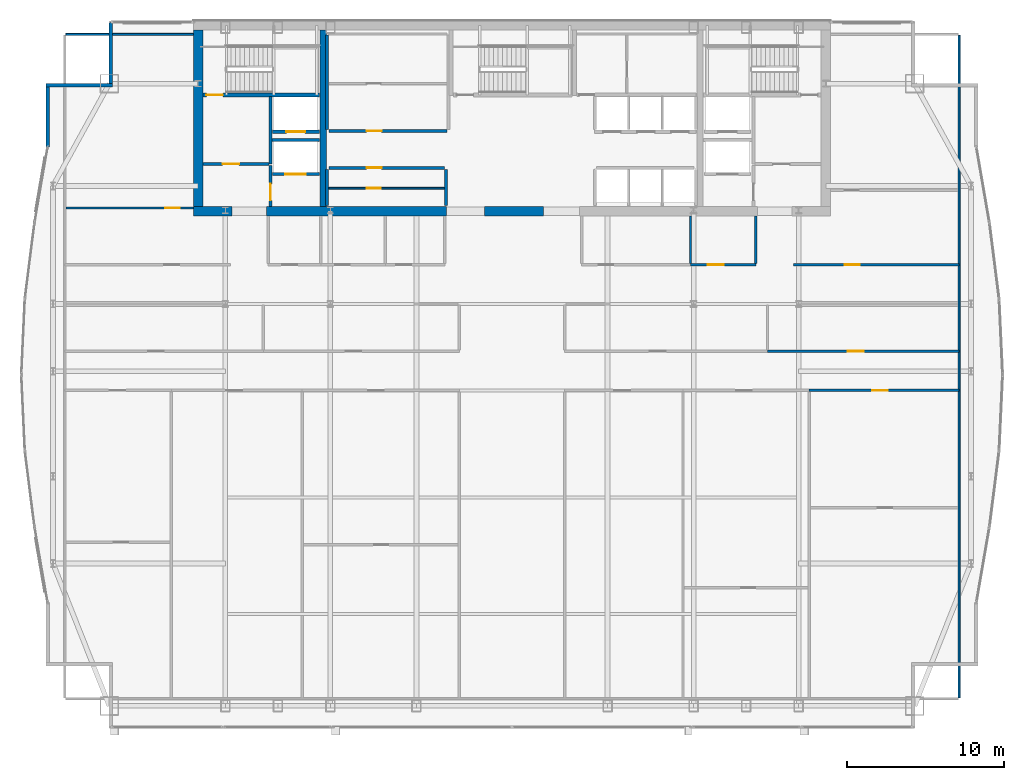
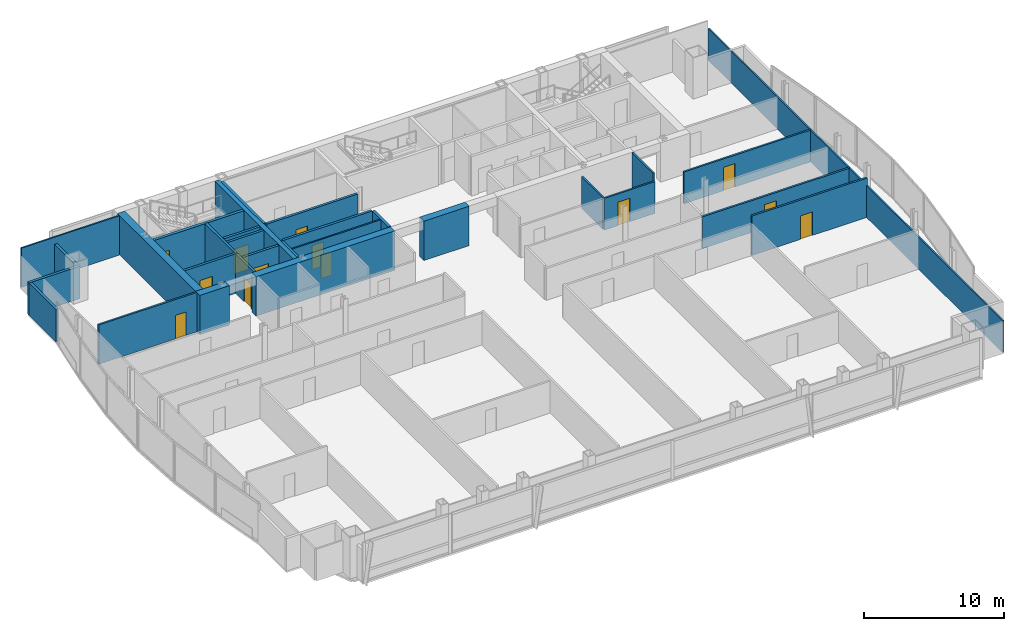
# One storey, part 26 of 30: 30 walls, 13 doors, 13 openings.
"""IFC4 building model written with IfcOpenShell, lengths in metres."""

from ifc_helpers import new_model, si_unit, direction, frame, frame_2d, origin, place, context, subcontext, project, spatial, rectangle, extrude, material, layer, layer_set, type_object, element, fill, save


model = new_model("IFC4")

# Units and contexts
model_context = context("Model", 3, precision=1e-05, world=origin(), true_north=direction((0.0, 1.0)))
body_context = subcontext(model_context, "Body", "Model", "MODEL_VIEW")
ifc_project = project(units=[si_unit("LENGTHUNIT", "METRE"), si_unit("AREAUNIT", "SQUARE_METRE"), si_unit("VOLUMEUNIT", "CUBIC_METRE"), si_unit("PLANEANGLEUNIT", "RADIAN"), si_unit("MASSUNIT", "GRAM", prefix="KILO")], contexts=[model_context])

# Site, building, storey
site_placement = place(None, origin())
site = spatial("IfcSite", under=ifc_project, at=site_placement, CompositionType="ELEMENT")
building_placement = place(site_placement, origin())
building = spatial("IfcBuilding", under=site, at=building_placement, Name="Khoronbel Lancet Exchange", CompositionType="ELEMENT")
storey_placement = place(building_placement, frame((0.0, 0.0, 224.60009765625)))
storey = spatial("IfcBuildingStorey", under=building, at=storey_placement, Name="L57", CompositionType="ELEMENT", Elevation=224.60009765625)

# Walls
ifc_material_1 = material(Name="Concrete C60/75", Category="concrete")
ifc_layer_1 = layer(ifc_material_1, 0.60009765625, Name="Concrete C60/75")
ifc_layer_set_1 = layer_set([ifc_layer_1], Name="Concrete C60/75")
wall_type_1 = type_object("IfcWallType", Name="WL-CW3", PredefinedType="SHEAR", material=ifc_layer_set_1)
wall_1_placement = place(storey_placement, frame((16.5, 41.89990234375, 0.0), z_axis=(0.0, 0.0, 1.0), x_axis=(0.0, 1.0, 0.0)))
element("IfcWall", 1, at=wall_1_placement, inside=storey, type_object=wall_type_1, Name="Level L57 rear core west shear wall", PredefinedType="SHEAR", context=body_context, shape_type="SweptSolid", body=[
    extrude(rectangle(XDim=11.2001953125, YDim=0.60009765625, at=frame_2d((5.60009765625, 0.0))), origin(), (0.0, 0.0, 1.0), 3.43994140625),
])
wall_2_placement = place(storey_placement, frame((18.64990234375, 41.60009765625, 0.0), z_axis=(0.0, 0.0, 1.0), x_axis=(-1.0, 0.0, 0.0)))
element("IfcWall", 2, at=wall_2_placement, inside=storey, type_object=wall_type_1, Name="Level L57 rear core south shear wall pier P1", PredefinedType="SHEAR", context=body_context, shape_type="SweptSolid", body=[
    extrude(rectangle(XDim=2.449951171875, YDim=0.60009765625, at=frame_2d((1.22509765625, 0.0))), origin(), (0.0, 0.0, 1.0), 3.43994140625),
])
wall_3_placement = place(storey_placement, frame((32.300048828125, 41.60009765625, 0.0), z_axis=(0.0, 0.0, 1.0), x_axis=(-1.0, 0.0, 0.0)))
element("IfcWall", 3, at=wall_3_placement, inside=storey, type_object=wall_type_1, Name="Level L57 rear core south shear wall pier P2", PredefinedType="SHEAR", context=body_context, shape_type="SweptSolid", body=[
    extrude(rectangle(XDim=11.449951171875, YDim=0.60009765625, at=frame_2d((5.72509765625, 0.0))), origin(), (0.0, 0.0, 1.0), 3.43994140625),
])
wall_4_placement = place(storey_placement, frame((38.449951171875, 41.60009765625, 0.0), z_axis=(0.0, 0.0, 1.0), x_axis=(-1.0, 0.0, 0.0)))
element("IfcWall", 4, at=wall_4_placement, inside=storey, type_object=wall_type_1, Name="Level L57 rear core south shear wall pier P3", PredefinedType="SHEAR", context=body_context, shape_type="SweptSolid", body=[
    extrude(rectangle(XDim=3.75, YDim=0.60009765625, at=frame_2d((1.875, 0.0))), origin(), (0.0, 0.0, 1.0), 3.43994140625),
])
ifc_material_2 = material(Name="Precast concrete C40/50", Category="concrete")
ifc_layer_2 = layer(ifc_material_2, 0.25, Name="Precast concrete C40/50")
ifc_layer_set_2 = layer_set([ifc_layer_2], Name="Precast concrete C40/50")
wall_type_2 = type_object("IfcWallType", Name="WL-EXT250", PredefinedType="SOLIDWALL", material=ifc_layer_set_2)
wall_5_placement = place(storey_placement, frame((6.93994140625, 45.67236328125, 0.0), z_axis=(0.0, 0.0, 1.0), x_axis=(0.0, 1.0, 0.0)))
element("IfcWall", 5, at=wall_5_placement, inside=storey, type_object=wall_type_2, Name="Level L57 notched-corner limestone pier 10", PredefinedType="SOLIDWALL", context=body_context, shape_type="SweptSolid", body=[
    extrude(rectangle(XDim=3.82763671875, YDim=0.219970703125, at=frame_2d((1.913818359375, 0.0))), origin(), (0.0, 0.0, 1.0), 2.829833984375),
])
wall_6_placement = place(storey_placement, frame((6.830078125, 49.610107421875, 0.0), z_axis=(0.0, 0.0, 1.0), x_axis=(1.0, 0.0, 0.0)))
element("IfcWall", 6, at=wall_6_placement, inside=storey, type_object=wall_type_2, Name="Level L57 notched-corner limestone pier 11", PredefinedType="SOLIDWALL", context=body_context, shape_type="SweptSolid", body=[
    extrude(rectangle(XDim=4.219970703125, YDim=0.219970703125, at=frame_2d((2.10986328125, 0.0))), origin(), (0.0, 0.0, 1.0), 2.829833984375),
])
wall_7_placement = place(storey_placement, frame((10.93994140625, 49.719970703125, 0.0), z_axis=(0.0, 0.0, 1.0), x_axis=(0.0, 1.0, 0.0)))
element("IfcWall", 7, at=wall_7_placement, inside=storey, type_object=wall_type_2, Name="Level L57 notched-corner limestone pier 12", PredefinedType="SOLIDWALL", context=body_context, shape_type="SweptSolid", body=[
    extrude(rectangle(XDim=3.909912109375, YDim=0.219970703125, at=frame_2d((1.955078125, 0.0))), origin(), (0.0, 0.0, 1.0), 2.829833984375),
])
ifc_material_3 = material(Name="Acoustic Metal-Stud & Mineral-Wool Gypsum Partition 120 mm", Category="gypsum")
ifc_layer_3 = layer(ifc_material_3, 0.1201171875, Name="Acoustic Metal-Stud & Mineral-Wool Gypsum Partition 120 mm")
ifc_layer_set_3 = layer_set([ifc_layer_3], Name="Acoustic Metal-Stud & Mineral-Wool Gypsum Partition 120 mm")
wall_type_3 = type_object("IfcWallType", Name="WL-PRT120", PredefinedType="PARTITIONING", material=ifc_layer_set_3)
wall_8_placement = place(storey_placement, frame((47.800048828125, 38.280029296875, 0.0), z_axis=(0.0, 0.0, 1.0), x_axis=(0.0, 1.0, 0.0)))
element("IfcWall", 8, at=wall_8_placement, inside=storey, type_object=wall_type_3, Name="Level L57 interior partition PW-NP-M", PredefinedType="PARTITIONING", context=body_context, shape_type="SweptSolid", body=[
    extrude(rectangle(XDim=3.02001953125, YDim=0.14990234375, at=frame_2d((1.510009765625, 0.0))), origin(), (0.0, 0.0, 1.0), 2.77978515625),
])
wall_9_placement = place(storey_placement, frame((51.949951171875, 38.280029296875, 0.0), z_axis=(0.0, 0.0, 1.0), x_axis=(0.0, 1.0, 0.0)))
element("IfcWall", 9, at=wall_9_placement, inside=storey, type_object=wall_type_3, Name="Level L57 interior partition PW-NP-1", PredefinedType="PARTITIONING", context=body_context, shape_type="SweptSolid", body=[
    extrude(rectangle(XDim=3.02001953125, YDim=0.14990234375, at=frame_2d((1.510009765625, 0.0))), origin(), (0.0, 0.0, 1.0), 3.43994140625),
])

# Wall, opening, door
wall_10_placement = place(storey_placement, frame((8.094970703125, 41.800048828125, 0.0), z_axis=(0.0, 0.0, 1.0), x_axis=(1.0, 0.0, 0.0)))
wall_10 = element("IfcWall", 10, at=wall_10_placement, inside=storey, type_object=wall_type_3, Name="Level L57 interior partition PW-NW-H", PredefinedType="PARTITIONING", context=body_context, shape_type="SweptSolid", body=[
    extrude(rectangle(XDim=8.10498046875, YDim=0.14990234375, at=frame_2d((4.052490234375, 0.0))), origin(), (0.0, 0.0, 1.0), 3.43994140625),
])
opening_1_placement = place(wall_10_placement, frame((6.320068359375, 0.0, 0.0)))
opening_1 = element("IfcOpeningElement", 11, at=opening_1_placement, cuts=wall_10, Name="Opening D5", PredefinedType="OPENING", context=body_context, shape_type="SweptSolid", body=[
    extrude(rectangle(XDim=0.89990234375, YDim=2.050048828125, at=frame_2d((0.449951171875, 1.02490234375))), frame((0.0, 0.0849609375, 0.0), z_axis=(0.0, -1.0, 0.0), x_axis=(1.0, 0.0, 0.0)), (0.0, 0.0, 1.0), 0.169921875),
])
ifc_material_4 = material(Name="Acoustic Timber Pantry & Support Door", Category="wood")
door_type_1 = type_object("IfcDoorType", Name="DR-D5", OperationType="NOTDEFINED", PredefinedType="DOOR", material=ifc_material_4)
door_1_placement = place(opening_1_placement, origin())
door_1 = element("IfcDoor", 12, at=door_1_placement, inside=storey, type_object=door_type_1, Name="NW north room door L57-1", OperationType="SINGLE_SWING_LEFT", OverallHeight=2.050048828125, OverallWidth=0.89990234375, PredefinedType="DOOR", context=body_context, shape_type="SweptSolid", body=[
    extrude(rectangle(XDim=0.89990234375, YDim=2.050048828125, at=frame_2d((0.449951171875, 1.02490234375))), frame((0.0, 0.02490234375, 0.0), z_axis=(0.0, -1.0, 0.0), x_axis=(1.0, 0.0, 0.0)), (0.0, 0.0, 1.0), 0.050048828125),
])
fill(opening_1, door_1)

# Walls
wall_11_placement = place(storey_placement, frame((64.8701171875, 10.6650390625, 0.0), z_axis=(0.0, 0.0, 1.0), x_axis=(0.0, 1.0, 0.0)))
element("IfcWall", 13, at=wall_11_placement, inside=storey, type_object=wall_type_3, Name="Level L57 interior partition PW-LIN-E", PredefinedType="PARTITIONING", context=body_context, shape_type="SweptSolid", body=[
    extrude(rectangle(XDim=42.10986328125, YDim=0.1201171875, at=frame_2d((21.054931640625, 0.0))), origin(), (0.0, 0.0, 1.0), 2.77978515625),
])
wall_12_placement = place(storey_placement, frame((8.094970703125, 52.840087890625, 0.0), z_axis=(0.0, 0.0, 1.0), x_axis=(1.0, 0.0, 0.0)))
element("IfcWall", 14, at=wall_12_placement, inside=storey, type_object=wall_type_3, Name="Level L57 interior partition PW-LIN-NW", PredefinedType="PARTITIONING", context=body_context, shape_type="SweptSolid", body=[
    extrude(rectangle(XDim=8.10498046875, YDim=0.1201171875, at=frame_2d((4.052490234375, 0.0))), origin(), (0.0, 0.0, 1.0), 3.43994140625),
])

# Wall, opening, door
ifc_material_5 = material(Name="Fire-Rated Metal-Stud & Mineral-Wool Gypsum Partition 120 mm", Category="gypsum")
ifc_layer_4 = layer(ifc_material_5, 0.1201171875, Name="Fire-Rated Metal-Stud & Mineral-Wool Gypsum Partition 120 mm")
ifc_layer_set_4 = layer_set([ifc_layer_4], Name="Fire-Rated Metal-Stud & Mineral-Wool Gypsum Partition 120 mm")
wall_type_4 = type_object("IfcWallType", Name="WL-PRT120F", PredefinedType="PARTITIONING", material=ifc_layer_set_4)
wall_13_placement = place(storey_placement, frame((24.804931640625, 43.053955078125, 0.0), z_axis=(0.0, 0.0, 1.0), x_axis=(1.0, 0.0, 0.0)))
wall_13 = element("IfcWall", 15, at=wall_13_placement, inside=storey, type_object=wall_type_4, Name="Level L57 interior partition CW-PM-RH", PredefinedType="PARTITIONING", context=body_context, shape_type="SweptSolid", body=[
    extrude(rectangle(XDim=7.340087890625, YDim=0.1201171875, at=frame_2d((3.669921875, 0.0))), origin(), (0.0, 0.0, 1.0), 3.43994140625),
])
opening_2_placement = place(wall_13_placement, frame((2.39990234375, 0.0, 0.0)))
opening_2 = element("IfcOpeningElement", 16, at=opening_2_placement, cuts=wall_13, Name="Opening FD4", PredefinedType="OPENING", context=body_context, shape_type="SweptSolid", body=[
    extrude(rectangle(XDim=0.89990234375, YDim=2.050048828125, at=frame_2d((0.449951171875, 1.02490234375))), frame((0.0, 0.070068359375, 0.0), z_axis=(0.0, -1.0, 0.0), x_axis=(1.0, 0.0, 0.0)), (0.0, 0.0, 1.0), 0.14013671875),
])
ifc_material_6 = material(Name="Fire-Rated Steel Core Support Door Assembly", Category="steel")
door_type_2 = type_object("IfcDoorType", Name="DR-FD4", OperationType="NOTDEFINED", PredefinedType="DOOR", material=ifc_material_6)
door_2_placement = place(opening_2_placement, origin())
door_2 = element("IfcDoor", 17, at=door_2_placement, inside=storey, type_object=door_type_2, Name="Core PM inner store door L57-1", OperationType="SINGLE_SWING_RIGHT", OverallHeight=2.050048828125, OverallWidth=0.89990234375, PredefinedType="DOOR", context=body_context, shape_type="SweptSolid", body=[
    extrude(rectangle(XDim=0.89990234375, YDim=2.050048828125, at=frame_2d((0.449951171875, 1.02490234375))), frame((0.0, 0.02490234375, 0.0), z_axis=(0.0, -1.0, 0.0), x_axis=(1.0, 0.0, 0.0)), (0.0, 0.0, 1.0), 0.050048828125),
])
fill(opening_2, door_2)

ifc_material_7 = material(Name="Fire-Rated Twin-Stud Acoustic Gypsum Partition 150 mm", Category="gypsum")
ifc_layer_5 = layer(ifc_material_7, 0.14990234375, Name="Fire-Rated Twin-Stud Acoustic Gypsum Partition 150 mm")
ifc_layer_set_5 = layer_set([ifc_layer_5], Name="Fire-Rated Twin-Stud Acoustic Gypsum Partition 150 mm")
wall_type_5 = type_object("IfcWallType", Name="WL-PRT150C", PredefinedType="PARTITIONING", material=ifc_layer_set_5)
wall_14_placement = place(storey_placement, frame((47.800048828125, 38.199951171875, 0.0), z_axis=(0.0, 0.0, 1.0), x_axis=(1.0, 0.0, 0.0)))
wall_14 = element("IfcWall", 18, at=wall_14_placement, inside=storey, type_object=wall_type_5, Name="Level L57 interior partition PW-NP-S2", PredefinedType="PARTITIONING", context=body_context, shape_type="SweptSolid", body=[
    extrude(rectangle(XDim=4.14990234375, YDim=0.14990234375, at=frame_2d((2.074951171875, 0.0))), origin(), (0.0, 0.0, 1.0), 2.77978515625),
])
opening_3_placement = place(wall_14_placement, frame((1.10009765625, 0.0, 0.0)))
opening_3 = element("IfcOpeningElement", 19, at=opening_3_placement, cuts=wall_14, Name="Opening D2", PredefinedType="OPENING", context=body_context, shape_type="SweptSolid", body=[
    extrude(rectangle(XDim=1.0, YDim=2.050048828125, at=frame_2d((0.5, 1.02490234375))), frame((0.0, 0.0849609375, 0.0), z_axis=(0.0, -1.0, 0.0), x_axis=(1.0, 0.0, 0.0)), (0.0, 0.0, 1.0), 0.169921875),
])
ifc_material_8 = material(Name="Acoustic Veneered Timber & Bronze Frame Door", Category="wood")
door_type_3 = type_object("IfcDoorType", Name="DR-D2", OperationType="NOTDEFINED", PredefinedType="DOOR", material=ifc_material_8)
door_3_placement = place(opening_3_placement, origin())
door_3 = element("IfcDoor", 20, at=door_3_placement, inside=storey, type_object=door_type_3, Name="Floor store door L57-1", OperationType="SINGLE_SWING_RIGHT", OverallHeight=2.050048828125, OverallWidth=1.0, PredefinedType="DOOR", context=body_context, shape_type="SweptSolid", body=[
    extrude(rectangle(XDim=1.0, YDim=2.050048828125, at=frame_2d((0.5, 1.02490234375))), frame((0.0, 0.02490234375, 0.0), z_axis=(0.0, -1.0, 0.0), x_axis=(1.0, 0.0, 0.0)), (0.0, 0.0, 1.0), 0.050048828125),
])
fill(opening_3, door_3)

wall_15_placement = place(storey_placement, frame((54.35009765625, 38.199951171875, 0.0), z_axis=(0.0, 0.0, 1.0), x_axis=(1.0, 0.0, 0.0)))
wall_15 = element("IfcWall", 21, at=wall_15_placement, inside=storey, type_object=wall_type_5, Name="Level L57 interior partition PW-NE-S", PredefinedType="PARTITIONING", context=body_context, shape_type="SweptSolid", body=[
    extrude(rectangle(XDim=10.52001953125, YDim=0.14990234375, at=frame_2d((5.260009765625, 0.0))), origin(), (0.0, 0.0, 1.0), 2.77978515625),
])
opening_4_placement = place(wall_15_placement, frame((3.25, 0.0, 0.0)))
opening_4 = element("IfcOpeningElement", 22, at=opening_4_placement, cuts=wall_15, Name="Opening D1", PredefinedType="OPENING", context=body_context, shape_type="SweptSolid", body=[
    extrude(rectangle(XDim=0.949951171875, YDim=2.050048828125, at=frame_2d((0.47509765625, 1.02490234375))), frame((0.0, 0.0849609375, 0.0), z_axis=(0.0, -1.0, 0.0), x_axis=(1.0, 0.0, 0.0)), (0.0, 0.0, 1.0), 0.169921875),
])
door_type_4 = type_object("IfcDoorType", Name="DR-D1", OperationType="NOTDEFINED", PredefinedType="DOOR", material=ifc_material_8)
door_4_placement = place(opening_4_placement, origin())
door_4 = element("IfcDoor", 23, at=door_4_placement, inside=storey, type_object=door_type_4, Name="NE corner room door L57-1", OperationType="SINGLE_SWING_RIGHT", OverallHeight=2.050048828125, OverallWidth=0.949951171875, PredefinedType="DOOR", context=body_context, shape_type="SweptSolid", body=[
    extrude(rectangle(XDim=0.949951171875, YDim=2.050048828125, at=frame_2d((0.47509765625, 1.02490234375))), frame((0.0, 0.02490234375, 0.0), z_axis=(0.0, -1.0, 0.0), x_axis=(1.0, 0.0, 0.0)), (0.0, 0.0, 1.0), 0.050048828125),
])
fill(opening_4, door_4)

ifc_material_9 = material(Name="Fire-Rated Twin-Stud Acoustic Gypsum Partition 160 mm", Category="gypsum")
ifc_layer_6 = layer(ifc_material_9, 0.159912109375, Name="Fire-Rated Twin-Stud Acoustic Gypsum Partition 160 mm")
ifc_layer_set_6 = layer_set([ifc_layer_6], Name="Fire-Rated Twin-Stud Acoustic Gypsum Partition 160 mm")
wall_type_6 = type_object("IfcWallType", Name="WL-PRT160C", PredefinedType="PARTITIONING", material=ifc_layer_set_6)
wall_16_placement = place(storey_placement, frame((55.343505859375, 30.199951171875, 0.0), z_axis=(0.0, 0.0, 1.0), x_axis=(1.0, 0.0, 0.0)))
wall_16 = element("IfcWall", 24, at=wall_16_placement, inside=storey, type_object=wall_type_6, Name="Level L57 interior partition PW-Z3SE-COR3", PredefinedType="PARTITIONING", context=body_context, shape_type="SweptSolid", body=[
    extrude(rectangle(XDim=9.526611328125, YDim=0.159912109375, at=frame_2d((4.76318359375, 0.0))), origin(), (0.0, 0.0, 1.0), 3.43994140625),
])
opening_5_placement = place(wall_16_placement, frame((4.001220703125, 0.0, 0.0)))
opening_5 = element("IfcOpeningElement", 25, at=opening_5_placement, cuts=wall_16, Name="Opening D2", PredefinedType="OPENING", context=body_context, shape_type="SweptSolid", body=[
    extrude(rectangle(XDim=1.0, YDim=2.050048828125, at=frame_2d((0.5, 1.02490234375))), frame((0.0, 0.08984375, 0.0), z_axis=(0.0, -1.0, 0.0), x_axis=(1.0, 0.0, 0.0)), (0.0, 0.0, 1.0), 0.179931640625),
])
door_5_placement = place(opening_5_placement, origin())
door_5 = element("IfcDoor", 26, at=door_5_placement, inside=storey, type_object=door_type_3, Name="Z3SE bay 3 door L57-1", OperationType="SINGLE_SWING_LEFT", OverallHeight=2.050048828125, OverallWidth=1.0, PredefinedType="DOOR", context=body_context, shape_type="SweptSolid", body=[
    extrude(rectangle(XDim=1.0, YDim=2.050048828125, at=frame_2d((0.5, 1.02490234375))), frame((0.0, 0.02490234375, 0.0), z_axis=(0.0, -1.0, 0.0), x_axis=(1.0, 0.0, 0.0)), (0.0, 0.0, 1.0), 0.050048828125),
])
fill(opening_5, door_5)

wall_17_placement = place(storey_placement, frame((52.693115234375, 32.699951171875, 0.0), z_axis=(0.0, 0.0, 1.0), x_axis=(1.0, 0.0, 0.0)))
wall_17 = element("IfcWall", 27, at=wall_17_placement, inside=storey, type_object=wall_type_6, Name="Level L57 interior partition PW-Z3NE-COR2", PredefinedType="PARTITIONING", context=body_context, shape_type="SweptSolid", body=[
    extrude(rectangle(XDim=12.177001953125, YDim=0.159912109375, at=frame_2d((6.08837890625, 0.0))), origin(), (0.0, 0.0, 1.0), 2.77978515625),
])
opening_6_placement = place(wall_17_placement, frame((5.1142578125, 0.0, 0.0)))
opening_6 = element("IfcOpeningElement", 28, at=opening_6_placement, cuts=wall_17, Name="Opening D2", PredefinedType="OPENING", context=body_context, shape_type="SweptSolid", body=[
    extrude(rectangle(XDim=1.0, YDim=2.050048828125, at=frame_2d((0.5, 1.02490234375))), frame((0.0, 0.08984375, 0.0), z_axis=(0.0, -1.0, 0.0), x_axis=(1.0, 0.0, 0.0)), (0.0, 0.0, 1.0), 0.179931640625),
])
door_6_placement = place(opening_6_placement, origin())
door_6 = element("IfcDoor", 29, at=door_6_placement, inside=storey, type_object=door_type_3, Name="Z3NE bay 2 door L57-1", OperationType="SINGLE_SWING_RIGHT", OverallHeight=2.050048828125, OverallWidth=1.0, PredefinedType="DOOR", context=body_context, shape_type="SweptSolid", body=[
    extrude(rectangle(XDim=1.0, YDim=2.050048828125, at=frame_2d((0.5, 1.02490234375))), frame((0.0, 0.02490234375, 0.0), z_axis=(0.0, -1.0, 0.0), x_axis=(1.0, 0.0, 0.0)), (0.0, 0.0, 1.0), 0.050048828125),
])
fill(opening_6, door_6)

ifc_material_10 = material(Name="Autoclaved Aerated Concrete Blockwork 200 mm", Category="masonry")
ifc_layer_7 = layer(ifc_material_10, 0.199951171875, Name="Autoclaved Aerated Concrete Blockwork 200 mm")
ifc_layer_set_7 = layer_set([ifc_layer_7], Name="Autoclaved Aerated Concrete Blockwork 200 mm")
wall_type_7 = type_object("IfcWallType", Name="WL-PRT200", PredefinedType="PARTITIONING", material=ifc_layer_set_7)
wall_18_placement = place(storey_placement, frame((24.2099609375, 43.949951171875, 0.0), z_axis=(0.0, 0.0, 1.0), x_axis=(-1.0, 0.0, 0.0)))
wall_18 = element("IfcWall", 30, at=wall_18_placement, inside=storey, type_object=wall_type_7, Name="Level L57 elevator hoistway landing front wall SVLW", PredefinedType="PARTITIONING", context=body_context, shape_type="SweptSolid", body=[
    extrude(rectangle(XDim=2.969970703125, YDim=0.199951171875, at=frame_2d((1.48486328125, 0.0))), origin(), (0.0, 0.0, 1.0), 3.43994140625),
])
opening_7_placement = place(wall_18_placement, frame((0.860107421875, 0.0, 0.0)))
opening_7 = element("IfcOpeningElement", 31, at=opening_7_placement, cuts=wall_18, Name="Opening LD-SVL1", PredefinedType="OPENING", context=body_context, shape_type="SweptSolid", body=[
    extrude(rectangle(XDim=1.300048828125, YDim=2.179931640625, at=frame_2d((0.64990234375, 1.08984375))), frame((0.0, 0.10986328125, 0.0), z_axis=(0.0, -1.0, 0.0), x_axis=(1.0, 0.0, 0.0)), (0.0, 0.0, 1.0), 0.219970703125),
])
ifc_material_11 = material(Name="Heavy-Duty Bi-Parting Goods Lift Landing Door", Category="steel")
door_type_5 = type_object("IfcDoorType", Name="DR-LD-SVL", OperationType="NOTDEFINED", PredefinedType="DOOR", material=ifc_material_11)
door_7_placement = place(opening_7_placement, origin())
door_7 = element("IfcDoor", 32, at=door_7_placement, inside=storey, type_object=door_type_5, Name="Elevator landing sliding door LD-SVL1 L57", OperationType="SLIDING_TO_LEFT", OverallHeight=2.179931640625, OverallWidth=1.300048828125, PredefinedType="DOOR", context=body_context, shape_type="SweptSolid", body=[
    extrude(rectangle(XDim=1.300048828125, YDim=2.179931640625, at=frame_2d((0.64990234375, 1.08984375))), frame((0.0, 0.02490234375, 0.0), z_axis=(0.0, -1.0, 0.0), x_axis=(1.0, 0.0, 0.0)), (0.0, 0.0, 1.0), 0.050048828125),
])
fill(opening_7, door_7)

wall_19_placement = place(storey_placement, frame((24.2099609375, 46.64990234375, 0.0), z_axis=(0.0, 0.0, 1.0), x_axis=(-1.0, 0.0, 0.0)))
wall_19 = element("IfcWall", 33, at=wall_19_placement, inside=storey, type_object=wall_type_7, Name="Level L57 elevator hoistway landing front wall FFLW", PredefinedType="PARTITIONING", context=body_context, shape_type="SweptSolid", body=[
    extrude(rectangle(XDim=2.969970703125, YDim=0.199951171875, at=frame_2d((1.48486328125, 0.0))), origin(), (0.0, 0.0, 1.0), 3.43994140625),
])
opening_8_placement = place(wall_19_placement, frame((0.909912109375, 0.0, 0.0)))
opening_8 = element("IfcOpeningElement", 34, at=opening_8_placement, cuts=wall_19, Name="Opening LD-FFL1", PredefinedType="OPENING", context=body_context, shape_type="SweptSolid", body=[
    extrude(rectangle(XDim=1.199951171875, YDim=2.179931640625, at=frame_2d((0.60009765625, 1.08984375))), frame((0.0, 0.10986328125, 0.0), z_axis=(0.0, -1.0, 0.0), x_axis=(1.0, 0.0, 0.0)), (0.0, 0.0, 1.0), 0.219970703125),
])
ifc_material_12 = material(Name="Fire-Rated Stainless Bi-Parting Firefighting Lift Door", Category="steel")
door_type_6 = type_object("IfcDoorType", Name="DR-LD-FFL", OperationType="NOTDEFINED", PredefinedType="DOOR", material=ifc_material_12)
door_8_placement = place(opening_8_placement, origin())
door_8 = element("IfcDoor", 35, at=door_8_placement, inside=storey, type_object=door_type_6, Name="Elevator landing sliding door LD-FFL1 L57", OperationType="SLIDING_TO_LEFT", OverallHeight=2.179931640625, OverallWidth=1.199951171875, PredefinedType="DOOR", context=body_context, shape_type="SweptSolid", body=[
    extrude(rectangle(XDim=1.199951171875, YDim=2.179931640625, at=frame_2d((0.60009765625, 1.08984375))), frame((0.0, 0.02490234375, 0.0), z_axis=(0.0, -1.0, 0.0), x_axis=(1.0, 0.0, 0.0)), (0.0, 0.0, 1.0), 0.050048828125),
])
fill(opening_8, door_8)

# Wall
wall_20_placement = place(storey_placement, frame((21.10009765625, 44.60009765625, 0.0), z_axis=(0.0, 0.0, 1.0), x_axis=(0.0, 1.0, 0.0)))
element("IfcWall", 36, at=wall_20_placement, inside=storey, type_object=wall_type_7, Name="Level L57 interior partition CW-FFLW-E", PredefinedType="PARTITIONING", context=body_context, shape_type="SweptSolid", body=[
    extrude(rectangle(XDim=4.2998046875, YDim=0.199951171875, at=frame_2d((2.14990234375, 0.0))), origin(), (0.0, 0.0, 1.0), 3.43994140625),
])

# Wall, opening, door
wall_21_placement = place(storey_placement, frame((16.800048828125, 44.60009765625, 0.0), z_axis=(0.0, 0.0, 1.0), x_axis=(1.0, 0.0, 0.0)))
wall_21 = element("IfcWall", 37, at=wall_21_placement, inside=storey, type_object=wall_type_7, Name="Level L57 interior partition CW-FFLW-S", PredefinedType="PARTITIONING", context=body_context, shape_type="SweptSolid", body=[
    extrude(rectangle(XDim=4.199951171875, YDim=0.199951171875, at=frame_2d((2.10009765625, 0.0))), origin(), (0.0, 0.0, 1.0), 3.43994140625),
])
opening_9_placement = place(wall_21_placement, frame((1.25, 0.0, 0.0)))
opening_9 = element("IfcOpeningElement", 38, at=opening_9_placement, cuts=wall_21, Name="Opening FD1", PredefinedType="OPENING", context=body_context, shape_type="SweptSolid", body=[
    extrude(rectangle(XDim=1.050048828125, YDim=2.14990234375, at=frame_2d((0.52490234375, 1.074951171875))), frame((0.0, 0.10986328125, 0.0), z_axis=(0.0, -1.0, 0.0), x_axis=(1.0, 0.0, 0.0)), (0.0, 0.0, 1.0), 0.219970703125),
])
ifc_material_13 = material(Name="Fire-Rated Painted Steel Door Assembly", Category="steel")
door_type_7 = type_object("IfcDoorType", Name="DR-FD1", OperationType="NOTDEFINED", PredefinedType="DOOR", material=ifc_material_13)
door_9_placement = place(opening_9_placement, origin())
door_9 = element("IfcDoor", 39, at=door_9_placement, inside=storey, type_object=door_type_7, Name="West firefighting lobby FD90S door L57-1", OperationType="SINGLE_SWING_RIGHT", OverallHeight=2.14990234375, OverallWidth=1.050048828125, PredefinedType="DOOR", context=body_context, shape_type="SweptSolid", body=[
    extrude(rectangle(XDim=1.050048828125, YDim=2.14990234375, at=frame_2d((0.52490234375, 1.074951171875))), frame((0.0, 0.02490234375, 0.0), z_axis=(0.0, -1.0, 0.0), x_axis=(1.0, 0.0, 0.0)), (0.0, 0.0, 1.0), 0.050048828125),
])
fill(opening_9, door_9)

# Wall
wall_22_placement = place(storey_placement, frame((21.199951171875, 46.1201171875, 0.0), z_axis=(0.0, 0.0, 1.0), x_axis=(1.0, 0.0, 0.0)))
element("IfcWall", 40, at=wall_22_placement, inside=storey, type_object=wall_type_7, Name="Level L57 interior partition CW-FFL1-S", PredefinedType="PARTITIONING", context=body_context, shape_type="SweptSolid", body=[
    extrude(rectangle(XDim=3.02001953125, YDim=0.199951171875, at=frame_2d((1.510009765625, 0.0))), origin(), (0.0, 0.0, 1.0), 3.43994140625),
])

# Wall, opening, door
wall_23_placement = place(storey_placement, frame((21.10009765625, 41.89990234375, 0.0), z_axis=(0.0, 0.0, 1.0), x_axis=(0.0, 1.0, 0.0)))
wall_23 = element("IfcWall", 41, at=wall_23_placement, inside=storey, type_object=wall_type_7, Name="Level L57 interior partition CW-SVLW-W", PredefinedType="PARTITIONING", context=body_context, shape_type="SweptSolid", body=[
    extrude(rectangle(XDim=2.59521484375, YDim=0.199951171875, at=frame_2d((1.297607421875, 0.0))), origin(), (0.0, 0.0, 1.0), 3.43994140625),
])
opening_10_placement = place(wall_23_placement, frame((0.3798828125, 0.0, 0.0)))
opening_10 = element("IfcOpeningElement", 42, at=opening_10_placement, cuts=wall_23, Name="Opening FD1", PredefinedType="OPENING", context=body_context, shape_type="SweptSolid", body=[
    extrude(rectangle(XDim=1.050048828125, YDim=2.14990234375, at=frame_2d((0.52490234375, 1.074951171875))), frame((0.0, 0.10986328125, 0.0), z_axis=(0.0, -1.0, 0.0), x_axis=(1.0, 0.0, 0.0)), (0.0, 0.0, 1.0), 0.219970703125),
])
door_10_placement = place(opening_10_placement, origin())
door_10 = element("IfcDoor", 43, at=door_10_placement, inside=storey, type_object=door_type_7, Name="West service lift lobby door L57-1", OperationType="SINGLE_SWING_LEFT", OverallHeight=2.14990234375, OverallWidth=1.050048828125, PredefinedType="DOOR", context=body_context, shape_type="SweptSolid", body=[
    extrude(rectangle(XDim=1.050048828125, YDim=2.14990234375, at=frame_2d((0.52490234375, 1.074951171875))), frame((0.0, 0.02490234375, 0.0), z_axis=(0.0, -1.0, 0.0), x_axis=(1.0, 0.0, 0.0)), (0.0, 0.0, 1.0), 0.050048828125),
])
fill(opening_10, door_10)

# Wall
wall_24_placement = place(storey_placement, frame((24.699951171875, 46.804931640625, 0.0), z_axis=(0.0, 0.0, 1.0), x_axis=(0.0, 1.0, 0.0)))
element("IfcWall", 44, at=wall_24_placement, inside=storey, type_object=wall_type_7, Name="Level L57 interior partition CW-PL-RW", PredefinedType="PARTITIONING", context=body_context, shape_type="SweptSolid", body=[
    extrude(rectangle(XDim=5.989990234375, YDim=0.199951171875, at=frame_2d((2.9951171875, 0.0))), origin(), (0.0, 0.0, 1.0), 3.43994140625),
])

# Wall, opening, door
wall_25_placement = place(storey_placement, frame((24.804931640625, 46.699951171875, 0.0), z_axis=(0.0, 0.0, 1.0), x_axis=(1.0, 0.0, 0.0)))
wall_25 = element("IfcWall", 45, at=wall_25_placement, inside=storey, type_object=wall_type_7, Name="Level L57 interior partition CW-PL-RF", PredefinedType="PARTITIONING", context=body_context, shape_type="SweptSolid", body=[
    extrude(rectangle(XDim=7.510009765625, YDim=0.199951171875, at=frame_2d((3.7548828125, 0.0))), origin(), (0.0, 0.0, 1.0), 3.43994140625),
])
opening_11_placement = place(wall_25_placement, frame((2.39990234375, 0.0, 0.0)))
opening_11 = element("IfcOpeningElement", 46, at=opening_11_placement, cuts=wall_25, Name="Opening FD3", PredefinedType="OPENING", context=body_context, shape_type="SweptSolid", body=[
    extrude(rectangle(XDim=0.949951171875, YDim=2.10009765625, at=frame_2d((0.47509765625, 1.050048828125))), frame((0.0, 0.10986328125, 0.0), z_axis=(0.0, -1.0, 0.0), x_axis=(1.0, 0.0, 0.0)), (0.0, 0.0, 1.0), 0.219970703125),
])
ifc_material_14 = material(Name="Fire-Rated Steel Plant & Riser Door Assembly", Category="steel")
door_type_8 = type_object("IfcDoorType", Name="DR-FD3", OperationType="NOTDEFINED", PredefinedType="DOOR", material=ifc_material_14)
door_11_placement = place(opening_11_placement, origin())
door_11 = element("IfcDoor", 47, at=door_11_placement, inside=storey, type_object=door_type_8, Name="Core PL merged gallery room door L57-1", OperationType="SINGLE_SWING_LEFT", OverallHeight=2.10009765625, OverallWidth=0.949951171875, PredefinedType="DOOR", context=body_context, shape_type="SweptSolid", body=[
    extrude(rectangle(XDim=0.949951171875, YDim=2.10009765625, at=frame_2d((0.47509765625, 1.050048828125))), frame((0.0, 0.02490234375, 0.0), z_axis=(0.0, -1.0, 0.0), x_axis=(1.0, 0.0, 0.0)), (0.0, 0.0, 1.0), 0.050048828125),
])
fill(opening_11, door_11)

# Walls
for number, where, z_axis, x_axis, name in (
    (48, (24.699951171875, 41.949951171875, 0.0), (0.0, 0.0, 1.0), (0.0, 1.0, 0.0), "Level L57 interior partition CW-PM-RW"),
    (49, (32.25, 41.949951171875, 0.0), (0.0, 0.0, 1.0), (0.0, 1.0, 0.0), "Level L57 interior partition CW-PM-RE"),
):
    element("IfcWall", number, at=place(storey_placement, frame(where, z_axis=z_axis, x_axis=x_axis)), inside=storey, type_object=wall_type_7, Name=name, PredefinedType="PARTITIONING", context=body_context, shape_type="SweptSolid", body=[
        extrude(rectangle(XDim=2.295166015625, YDim=0.199951171875, at=frame_2d((1.1474609375, 0.0))), origin(), (0.0, 0.0, 1.0), 3.43994140625),
    ])

# Wall, opening, door
wall_26_placement = place(storey_placement, frame((24.804931640625, 44.35009765625, 0.0), z_axis=(0.0, 0.0, 1.0), x_axis=(1.0, 0.0, 0.0)))
wall_26 = element("IfcWall", 50, at=wall_26_placement, inside=storey, type_object=wall_type_7, Name="Level L57 interior partition CW-PM-RF", PredefinedType="PARTITIONING", context=body_context, shape_type="SweptSolid", body=[
    extrude(rectangle(XDim=7.340087890625, YDim=0.199951171875, at=frame_2d((3.669921875, 0.0))), origin(), (0.0, 0.0, 1.0), 3.43994140625),
])
opening_12_placement = place(wall_26_placement, frame((2.39990234375, 0.0, 0.0)))
opening_12 = element("IfcOpeningElement", 51, at=opening_12_placement, cuts=wall_26, Name="Opening FD3", PredefinedType="OPENING", context=body_context, shape_type="SweptSolid", body=[
    extrude(rectangle(XDim=0.949951171875, YDim=2.10009765625, at=frame_2d((0.47509765625, 1.050048828125))), frame((0.0, 0.10986328125, 0.0), z_axis=(0.0, -1.0, 0.0), x_axis=(1.0, 0.0, 0.0)), (0.0, 0.0, 1.0), 0.219970703125),
])
door_12_placement = place(opening_12_placement, origin())
door_12 = element("IfcDoor", 52, at=door_12_placement, inside=storey, type_object=door_type_8, Name="Core PM merged gallery room door L57-1", OperationType="SINGLE_SWING_LEFT", OverallHeight=2.10009765625, OverallWidth=0.949951171875, PredefinedType="DOOR", context=body_context, shape_type="SweptSolid", body=[
    extrude(rectangle(XDim=0.949951171875, YDim=2.10009765625, at=frame_2d((0.47509765625, 1.050048828125))), frame((0.0, 0.02490234375, 0.0), z_axis=(0.0, -1.0, 0.0), x_axis=(1.0, 0.0, 0.0)), (0.0, 0.0, 1.0), 0.050048828125),
])
fill(opening_12, door_12)

# Wall
ifc_layer_8 = layer(ifc_material_1, 0.39990234375, Name="Concrete C60/75")
ifc_layer_set_8 = layer_set([ifc_layer_8], Name="Concrete C60/75")
wall_type_8 = type_object("IfcWallType", Name="WL-SW2", PredefinedType="SHEAR", material=ifc_layer_set_8)
wall_27_placement = place(storey_placement, frame((24.449951171875, 41.89990234375, 0.0), z_axis=(0.0, 0.0, 1.0), x_axis=(0.0, 1.0, 0.0)))
element("IfcWall", 53, at=wall_27_placement, inside=storey, type_object=wall_type_8, Name="Level L57 rear core internal spine shear wall IW", PredefinedType="SHEAR", context=body_context, shape_type="SweptSolid", body=[
    extrude(rectangle(XDim=11.2001953125, YDim=0.39990234375, at=frame_2d((5.60009765625, 0.0))), origin(), (0.0, 0.0, 1.0), 3.43994140625),
])

# Wall, opening, door
ifc_layer_9 = layer(ifc_material_1, 0.260009765625, Name="Concrete C60/75")
ifc_layer_set_9 = layer_set([ifc_layer_9], Name="Concrete C60/75")
wall_type_9 = type_object("IfcWallType", Name="WL-SW3", PredefinedType="SHEAR", material=ifc_layer_set_9)
wall_28_placement = place(storey_placement, frame((16.800048828125, 48.97998046875, 0.0), z_axis=(0.0, 0.0, 1.0), x_axis=(1.0, 0.0, 0.0)))
wall_28 = element("IfcWall", 54, at=wall_28_placement, inside=storey, type_object=wall_type_9, Name="Level L57 west stairwell structural south wall", PredefinedType="SHEAR", context=body_context, shape_type="SweptSolid", body=[
    extrude(rectangle(XDim=7.419921875, YDim=0.239990234375, at=frame_2d((3.7099609375, 0.0))), origin(), (0.0, 0.0, 1.0), 3.43994140625),
])
opening_13_placement = place(wall_28_placement, frame((0.219970703125, 0.0, 0.0)))
opening_13 = element("IfcOpeningElement", 55, at=opening_13_placement, cuts=wall_28, Name="Opening SD1", PredefinedType="OPENING", context=body_context, shape_type="SweptSolid", body=[
    extrude(rectangle(XDim=1.050048828125, YDim=2.14990234375, at=frame_2d((0.52490234375, 1.074951171875))), frame((0.0, 0.1298828125, 0.0), z_axis=(0.0, -1.0, 0.0), x_axis=(1.0, 0.0, 0.0)), (0.0, 0.0, 1.0), 0.260009765625),
])
ifc_material_15 = material(Name="Fire-Rated Steel Stairwell Door Assembly", Category="steel")
door_type_9 = type_object("IfcDoorType", Name="DR-SD1", OperationType="NOTDEFINED", PredefinedType="DOOR", material=ifc_material_15)
door_13_placement = place(opening_13_placement, origin())
door_13 = element("IfcDoor", 56, at=door_13_placement, inside=storey, type_object=door_type_9, Name="Protected exit stair ST1 door L57", OperationType="SINGLE_SWING_LEFT", OverallHeight=2.14990234375, OverallWidth=1.050048828125, PredefinedType="DOOR", context=body_context, shape_type="SweptSolid", body=[
    extrude(rectangle(XDim=1.050048828125, YDim=2.14990234375, at=frame_2d((0.52490234375, 1.074951171875))), frame((0.0, 0.02490234375, 0.0), z_axis=(0.0, -1.0, 0.0), x_axis=(1.0, 0.0, 0.0)), (0.0, 0.0, 1.0), 0.050048828125),
])
fill(opening_13, door_13)

save(model, "model.ifc")
